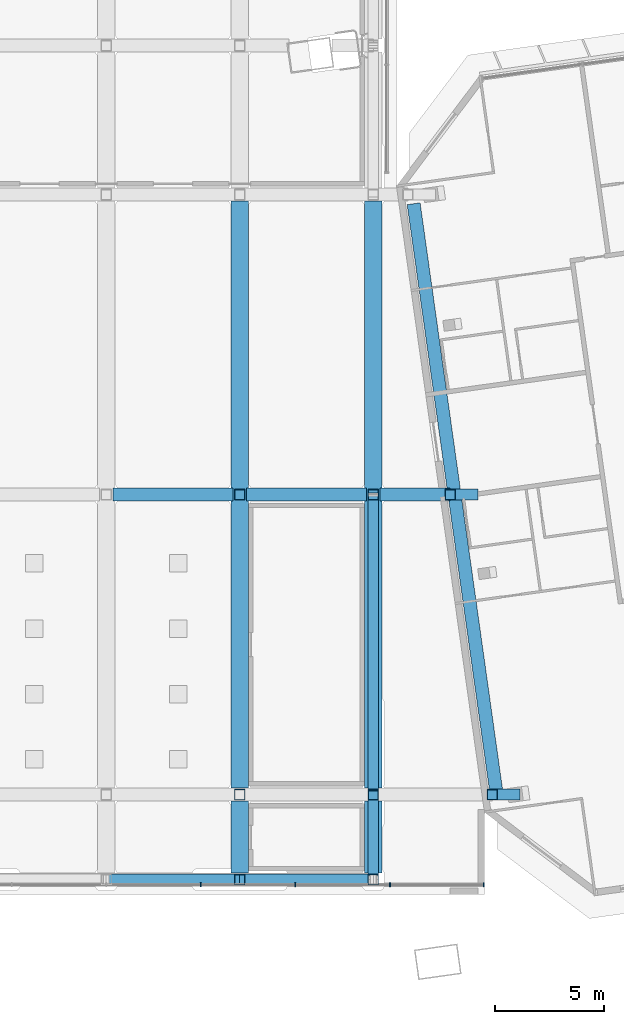
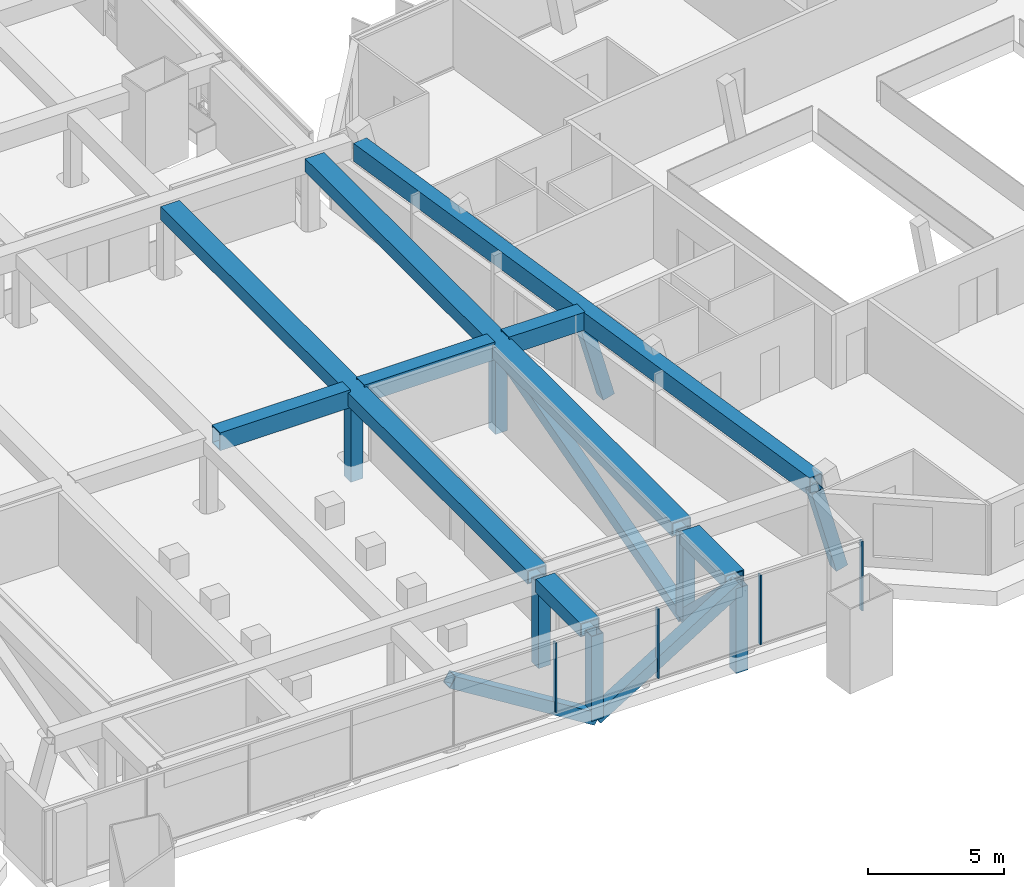
# One storey, part 7 of 28: 23 members, 1 beam, 1 element without a shape of its own.
"""IFC4 building model written with IfcOpenShell, lengths in metres."""

from ifc_helpers import new_model, si_unit, direction, frame, origin, origin_2d, place, context, subcontext, project, spatial, rectangle, hollow_rectangle, extrude, material, material_profile, profile_set, type_object, element, aggregate, save


model = new_model("IFC4")

# Units and contexts
model_context = context("Model", 3, precision=1e-05, world=origin(), true_north=direction((0.0, 1.0)))
body_context = subcontext(model_context, "Body", "Model", "MODEL_VIEW")
ifc_project = project(units=[si_unit("LENGTHUNIT", "METRE"), si_unit("AREAUNIT", "SQUARE_METRE"), si_unit("VOLUMEUNIT", "CUBIC_METRE"), si_unit("PLANEANGLEUNIT", "RADIAN"), si_unit("MASSUNIT", "GRAM", prefix="KILO")], contexts=[model_context])

# Site, building, storey
site_placement = place(None, origin())
site = spatial("IfcSite", under=ifc_project, at=site_placement, CompositionType="ELEMENT")
building_placement = place(site_placement, origin())
building = spatial("IfcBuilding", under=site, at=building_placement, Name="Mirante Cascada Hotel Towers", CompositionType="ELEMENT")
storey_placement = place(building_placement, frame((0.0, 0.0, 262.2)))
storey = spatial("IfcBuildingStorey", under=building, at=storey_placement, Name="L63", CompositionType="ELEMENT", Elevation=262.2)

# Beam
ifc_material_1 = material(Name="Steel ASTM A572 Gr 50", Category="steel")
ifc_material_profile_1 = material_profile(ifc_material_1, hollow_rectangle(XDim=0.6, YDim=0.8, WallThickness=0.04, at=origin_2d()), Name="Box beam 800x600x40 ASTM A572 Gr 50")
ifc_profile_set_1 = profile_set([ifc_material_profile_1], Name="Steel ASTM A572 Gr 50")
beam_type = type_object("IfcBeamType", Name="Box beam 800x600x40 ASTM A572 Gr 50", PredefinedType="BEAM", material=ifc_profile_set_1)
beam_placement = place(storey_placement, frame((17.8872, -17.4309, 2.9), z_axis=(-0.139173, 0.9902681, 0.0), x_axis=(-0.9902681, -0.139173, 0.0)))
element("IfcBeam", 1, at=beam_placement, inside=storey, type_object=beam_type, Name="Deck end beam T2 L64", PredefinedType="BEAM", context=body_context, shape_type="SweptSolid", body=[
    extrude(hollow_rectangle(XDim=0.6, YDim=0.8, WallThickness=0.04, at=origin_2d()), origin(), (0.0, 0.0, 1.0), 27.1899),
])

# Members
ifc_material_2 = material(Name="Steel ASTM A572 Gr 50", Category="steel")
ifc_material_profile_2 = material_profile(ifc_material_2, hollow_rectangle(XDim=0.6, YDim=0.8, WallThickness=0.04, at=origin_2d()), Name="Box chord 800x600x40 ASTM A572 Gr 50")
ifc_profile_set_2 = profile_set([ifc_material_profile_2], Name="Steel ASTM A572 Gr 50")
member_type_1 = type_object("IfcMemberType", Name="Box chord 800x600x40 ASTM A572 Gr 50", PredefinedType="CHORD", material=ifc_profile_set_2)
member_1_placement = place(storey_placement, frame((6.1257, -21.2153, 2.9), z_axis=(0.0, 1.0, 0.0), x_axis=(0.0, 0.0, 1.0)))
element("IfcMember", 2, at=member_1_placement, inside=storey, type_object=member_type_1, Name="dchord sky park L64 13", PredefinedType="CHORD", context=body_context, shape_type="SweptSolid", body=[
    extrude(hollow_rectangle(XDim=0.6, YDim=0.8, WallThickness=0.04, at=origin_2d()), origin(), (0.0, 0.0, 1.0), 3.3),
])
member_2_placement = place(storey_placement, frame((6.1257, -17.3153, 2.9), z_axis=(0.0, 1.0, 0.0), x_axis=(0.0, 0.0, 1.0)))
element("IfcMember", 3, at=member_2_placement, inside=storey, type_object=member_type_1, Name="dchord sky park L64 14", PredefinedType="CHORD", context=body_context, shape_type="SweptSolid", body=[
    extrude(hollow_rectangle(XDim=0.6, YDim=0.8, WallThickness=0.04, at=origin_2d()), origin(), (0.0, 0.0, 1.0), 26.9295),
])
member_3_placement = place(storey_placement, frame((12.2514, -21.2153, 2.9), z_axis=(0.0, 1.0, 0.0), x_axis=(0.0, 0.0, 1.0)))
element("IfcMember", 4, at=member_3_placement, inside=storey, type_object=member_type_1, Name="dchord sky park L64 17", PredefinedType="CHORD", context=body_context, shape_type="SweptSolid", body=[
    extrude(hollow_rectangle(XDim=0.6, YDim=0.8, WallThickness=0.04, at=origin_2d()), origin(), (0.0, 0.0, 1.0), 3.3),
])
member_4_placement = place(storey_placement, frame((12.2514, -17.3153, 2.9), z_axis=(0.0, 1.0, 0.0), x_axis=(0.0, 0.0, 1.0)))
element("IfcMember", 5, at=member_4_placement, inside=storey, type_object=member_type_1, Name="dchord sky park L64 18", PredefinedType="CHORD", context=body_context, shape_type="SweptSolid", body=[
    extrude(hollow_rectangle(XDim=0.6, YDim=0.8, WallThickness=0.04, at=origin_2d()), origin(), (0.0, 0.0, 1.0), 26.9295),
])
for number, where, z_axis, x_axis, name in (
    (6, (0.3, -3.8505, 2.9), (1.0, 0.0, 0.0), (0.0, 1.0, 0.0), "dchord sky park L64 24"),
    (7, (6.4257, -3.8505, 2.9), (1.0, 0.0, 0.0), (0.0, 1.0, 0.0), "dchord sky park L64 25"),
):
    element("IfcMember", number, at=place(storey_placement, frame(where, z_axis=z_axis, x_axis=x_axis)), inside=storey, type_object=member_type_1, Name=name, PredefinedType="CHORD", context=body_context, shape_type="SweptSolid", body=[
        extrude(hollow_rectangle(XDim=0.6, YDim=0.8, WallThickness=0.04, at=origin_2d()), origin(), (0.0, 0.0, 1.0), 5.5257),
    ])
member_5_placement = place(storey_placement, frame((12.5514, -3.8505, 2.9), z_axis=(1.0, 0.0, 0.0), x_axis=(0.0, 1.0, 0.0)))
element("IfcMember", 8, at=member_5_placement, inside=storey, type_object=member_type_1, Name="dchord sky park L64 26", PredefinedType="CHORD", context=body_context, shape_type="SweptSolid", body=[
    extrude(hollow_rectangle(XDim=0.6, YDim=0.8, WallThickness=0.04, at=origin_2d()), origin(), (0.0, 0.0, 1.0), 3.2252),
])
ifc_material_3 = material(Name="Steel ASTM A572 Gr 50", Category="steel")
ifc_material_profile_3 = material_profile(ifc_material_3, hollow_rectangle(XDim=0.5, YDim=0.5, WallThickness=0.03, at=origin_2d()), Name="Box diagonal 500x500x30 ASTM A572 Gr 50")
ifc_profile_set_3 = profile_set([ifc_material_profile_3], Name="Steel ASTM A572 Gr 50")
member_type_2 = type_object("IfcMemberType", Name="Box diagonal 500x500x30 ASTM A572 Gr 50", PredefinedType="BRACE", material=ifc_profile_set_3)
member_6_placement = place(storey_placement, frame((12.2514, -17.6153, -0.9), z_axis=(0.0, -0.7162296, 0.6978647), x_axis=(1.0, 0.0, 0.0)))
element("IfcMember", 9, at=member_6_placement, inside=storey, type_object=member_type_2, Name="ddiag sky park L63 6", PredefinedType="BRACE", context=body_context, shape_type="SweptSolid", body=[
    extrude(hollow_rectangle(XDim=0.5, YDim=0.5, WallThickness=0.03, at=origin_2d()), origin(), (0.0, 0.0, 1.0), 5.4452),
])
member_7_placement = place(storey_placement, frame((12.2514, -17.6153, -0.9), z_axis=(0.0, 0.9639421, 0.2661121), x_axis=(-1.0, 0.0, 0.0)))
element("IfcMember", 10, at=member_7_placement, inside=storey, type_object=member_type_2, Name="ddiag sky park L63 7", PredefinedType="BRACE", context=body_context, shape_type="SweptSolid", body=[
    extrude(hollow_rectangle(XDim=0.5, YDim=0.5, WallThickness=0.03, at=origin_2d()), origin(), (0.0, 0.0, 1.0), 14.2797),
])
for number, where, z_axis, x_axis, name in (
    (11, (6.1257, -21.5153, -0.9), (-0.8497743, 0.0, 0.5271467), (0.0, -1.0, 0.0), "ddiag sky park L63 17"),
    (12, (6.1257, -21.5153, -0.9), (0.8497743, 0.0, 0.5271467), (0.0, 1.0, 0.0), "ddiag sky park L63 18"),
):
    element("IfcMember", number, at=place(storey_placement, frame(where, z_axis=z_axis, x_axis=x_axis)), inside=storey, type_object=member_type_2, Name=name, PredefinedType="BRACE", context=body_context, shape_type="SweptSolid", body=[
        extrude(hollow_rectangle(XDim=0.5, YDim=0.5, WallThickness=0.03, at=origin_2d()), origin(), (0.0, 0.0, 1.0), 7.2086),
    ])
ifc_material_4 = material(Name="Steel ASTM A572 Gr 50", Category="steel")
ifc_material_profile_4 = material_profile(ifc_material_4, hollow_rectangle(XDim=0.5, YDim=0.5, WallThickness=0.03, at=origin_2d()), Name="Box post 500x500x30 ASTM A572 Gr 50")
ifc_profile_set_4 = profile_set([ifc_material_profile_4], Name="Steel ASTM A572 Gr 50")
member_type_3 = type_object("IfcMemberType", Name="Box post 500x500x30 ASTM A572 Gr 50", PredefinedType="POST", material=ifc_profile_set_4)
for number, where, z_axis, x_axis, name in (
    (13, (6.1257, -21.5153, -0.9), (0.0, 0.0, 1.0), (1.0, 0.0, 0.0), "dpost sky park L63 22"),
    (14, (6.1257, -17.6153, -0.9), (0.0, 0.0, 1.0), (1.0, 0.0, 0.0), "dpost sky park L63 23"),
    (15, (6.1257, -3.8505, -0.9), (0.0, 0.0, 1.0), (1.0, 0.0, 0.0), "dpost sky park L63 24"),
    (16, (12.2514, -21.5153, -0.9), (0.0, 0.0, 1.0), (1.0, 0.0, 0.0), "dpost sky park L63 29"),
    (17, (12.2514, -17.6153, -0.9), (0.0, 0.0, 1.0), (1.0, 0.0, 0.0), "dpost sky park L63 30"),
    (18, (12.2514, -3.8505, -0.9), (0.0, 0.0, 1.0), (1.0, 0.0, 0.0), "dpost sky park L63 31"),
):
    element("IfcMember", number, at=place(storey_placement, frame(where, z_axis=z_axis, x_axis=x_axis)), inside=storey, type_object=member_type_3, Name=name, PredefinedType="POST", context=body_context, shape_type="SweptSolid", body=[
        extrude(hollow_rectangle(XDim=0.5, YDim=0.5, WallThickness=0.03, at=origin_2d()), origin(), (0.0, 0.0, 1.0), 3.8),
    ])
member_8_placement = place(storey_placement, frame((18.7439, -17.6153, -0.9), z_axis=(-0.2622513, 0.0, 0.9649996), x_axis=(0.0, -1.0, 0.0)))
element("IfcMember", 19, at=member_8_placement, inside=storey, type_object=member_type_3, Name="dpost sky park L63 37", PredefinedType="POST", context=body_context, shape_type="SweptSolid", body=[
    extrude(hollow_rectangle(XDim=0.5, YDim=0.5, WallThickness=0.03, at=origin_2d()), origin(), (0.0, 0.0, 1.0), 3.9378),
])
member_9_placement = place(storey_placement, frame((16.8094, -3.8505, -0.9), z_axis=(-0.262275, 0.0, 0.9649932), x_axis=(0.0, -1.0, 0.0)))
element("IfcMember", 20, at=member_9_placement, inside=storey, type_object=member_type_3, Name="dpost sky park L63 39", PredefinedType="POST", context=body_context, shape_type="SweptSolid", body=[
    extrude(hollow_rectangle(XDim=0.5, YDim=0.5, WallThickness=0.03, at=origin_2d()), origin(), (0.0, 0.0, 1.0), 3.9379),
])

# Curtain wall, members
ifc_material_5 = material(Name="Aluminium mullion and transom frame with clear laminated glass", Category="aluminium")
curtain_wall_type = type_object("IfcCurtainWallType", Name="Sky park deck curtain wall ECW5", PredefinedType="NOTDEFINED", material=ifc_material_5)
curtain_wall_placement = place(storey_placement, origin())
curtain_wall = element("IfcCurtainWall", 21, at=curtain_wall_placement, inside=storey, type_object=curtain_wall_type, Name="Sky park glazing L63 run 1", PredefinedType="NOTDEFINED")
ifc_material_6 = material(Name="Anodised aluminium extrusion", Category="aluminium")
ifc_material_profile_5 = material_profile(ifc_material_6, rectangle(XDim=0.18, YDim=0.06, at=origin_2d()), Name="ECW5 MULLION 60x180")
ifc_profile_set_5 = profile_set([ifc_material_profile_5], Name="Anodised aluminium extrusion")
member_type_4 = type_object("IfcMemberType", Name="ECW5 mullion 60x180", PredefinedType="MULLION", material=ifc_profile_set_5)
member_10_placement = place(storey_placement, frame((4.3375, -21.7525, 0.09), z_axis=(0.0, 0.0, 1.0), x_axis=(0.0, 1.0, 0.0)))
member_10 = element("IfcMember", 22, at=member_10_placement, type_object=member_type_4, Name="ECW5 mullion 6", PredefinedType="MULLION", context=body_context, shape_type="SweptSolid", body=[
    extrude(rectangle(XDim=0.18, YDim=0.06, at=origin_2d()), origin(), (0.0, 0.0, 1.0), 3.12),
])
member_11_placement = place(storey_placement, frame((8.6751, -21.7525, 0.09), z_axis=(0.0, 0.0, 1.0), x_axis=(0.0, 1.0, 0.0)))
member_11 = element("IfcMember", 23, at=member_11_placement, type_object=member_type_4, Name="ECW5 mullion 7", PredefinedType="MULLION", context=body_context, shape_type="SweptSolid", body=[
    extrude(rectangle(XDim=0.18, YDim=0.06, at=origin_2d()), origin(), (0.0, 0.0, 1.0), 3.12),
])
member_12_placement = place(storey_placement, frame((13.0126, -21.7525, 0.09), z_axis=(0.0, 0.0, 1.0), x_axis=(0.0, 1.0, 0.0)))
member_12 = element("IfcMember", 24, at=member_12_placement, type_object=member_type_4, Name="ECW5 mullion 8", PredefinedType="MULLION", context=body_context, shape_type="SweptSolid", body=[
    extrude(rectangle(XDim=0.18, YDim=0.06, at=origin_2d()), origin(), (0.0, 0.0, 1.0), 3.12),
])
member_13_placement = place(storey_placement, frame((17.3202, -21.7525, 0.09), z_axis=(0.0, 0.0, 1.0), x_axis=(0.0, 1.0, 0.0)))
member_13 = element("IfcMember", 25, at=member_13_placement, type_object=member_type_4, Name="ECW5 mullion 9", PredefinedType="MULLION", context=body_context, shape_type="SweptSolid", body=[
    extrude(rectangle(XDim=0.18, YDim=0.06, at=origin_2d()), origin(), (0.0, 0.0, 1.0), 3.12),
])
aggregate(curtain_wall, [member_10, member_11, member_12, member_13])

save(model, "model.ifc")
